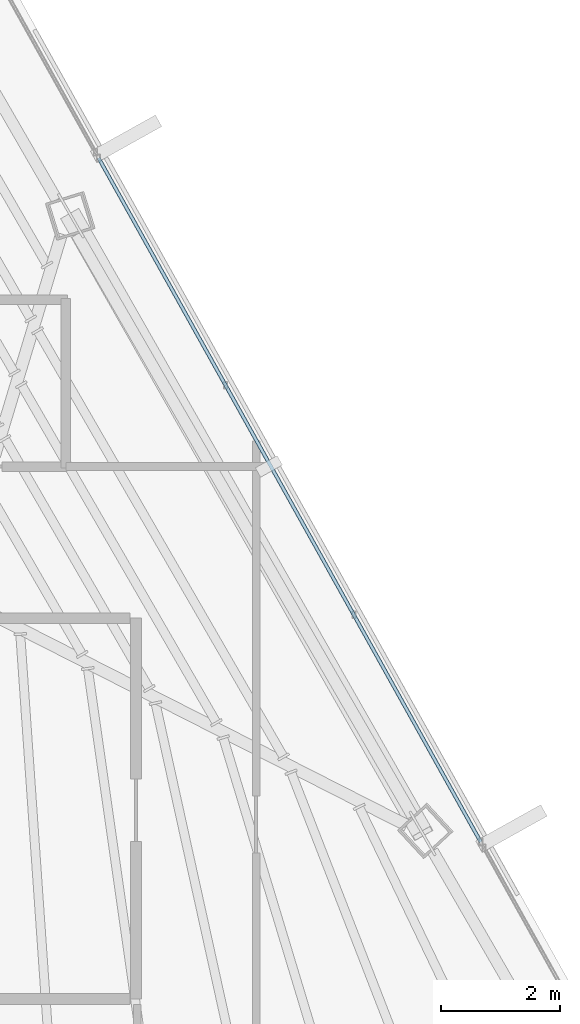
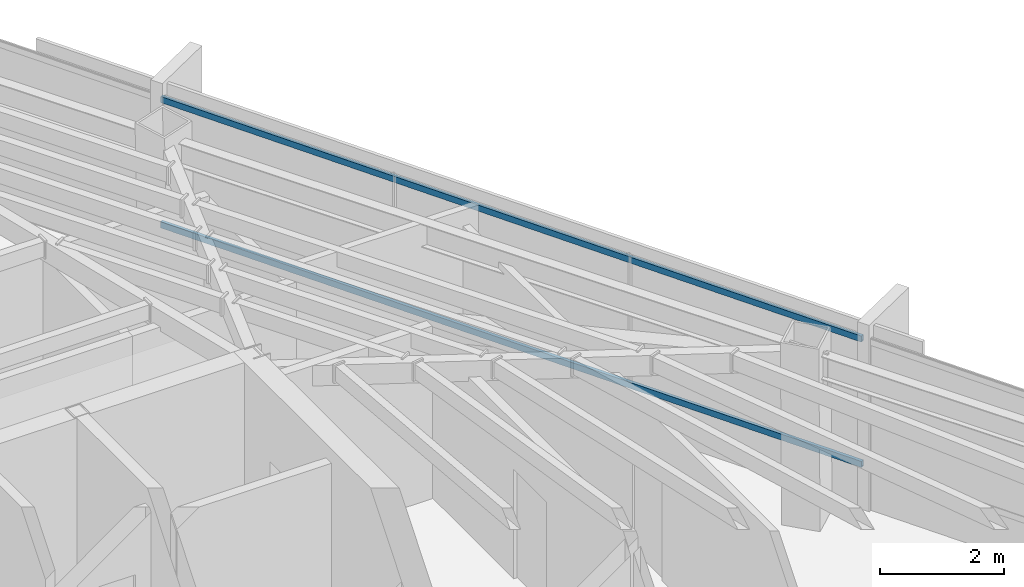
# One storey, part 28 of 48: 2 members, 1 element without a shape of its own.
"""IFC4 building model written with IfcOpenShell, lengths in metres."""

from ifc_helpers import new_model, si_unit, direction, frame, origin, origin_2d, place, context, subcontext, project, spatial, hollow_rectangle, extrude, source, transform, mapped, material, material_profile, profile_set, type_object, type_shapes, element, aggregate, save


model = new_model("IFC4")

# Units and contexts
model_context = context("Model", 3, precision=1e-05, world=origin(), true_north=direction((0.0, 1.0)))
body_context = subcontext(model_context, "Body", "Model", "MODEL_VIEW")
ifc_project = project(units=[si_unit("LENGTHUNIT", "METRE"), si_unit("AREAUNIT", "SQUARE_METRE"), si_unit("VOLUMEUNIT", "CUBIC_METRE"), si_unit("PLANEANGLEUNIT", "RADIAN"), si_unit("MASSUNIT", "GRAM", prefix="KILO")], contexts=[model_context])

# Site, building, storey
site_placement = place(None, origin())
site = spatial("IfcSite", under=ifc_project, at=site_placement, CompositionType="ELEMENT")
building_placement = place(site_placement, origin())
building = spatial("IfcBuilding", under=site, at=building_placement, Name="Caelisora Broadcast Tower", CompositionType="ELEMENT")
storey_placement = place(building_placement, frame((0.0, 0.0, 270.0)))
storey = spatial("IfcBuildingStorey", under=building, at=storey_placement, Name="L71", CompositionType="ELEMENT", Elevation=270.0)

# Curtain wall, members
ifc_material_1 = material(Name="Unitised Aluminium Insulated Shadow-Box Spandrel Curtain Wall", Category="aluminium")
curtain_wall_type = type_object("IfcCurtainWallType", Name="CW-SP3", PredefinedType="NOTDEFINED", material=ifc_material_1)
curtain_wall_placement = place(storey_placement, origin())
curtain_wall = element("IfcCurtainWall", 1, at=curtain_wall_placement, inside=storey, type_object=curtain_wall_type, Name="L71 curtain wall CW-SP3", PredefinedType="NOTDEFINED")
ifc_material_2 = material(Name="Aluminium 6063-T6 Anodised Terracotta Bronze", Category="aluminium")
ifc_material_profile = material_profile(ifc_material_2, hollow_rectangle(XDim=0.06005859375, YDim=0.1201171875, WallThickness=0.0029296875, at=origin_2d()), Name="Aluminium 6063-T6 Anodised Terracotta Bronze")
ifc_profile_set = profile_set([ifc_material_profile], Name="Aluminium 6063-T6 Anodised Terracotta Bronze")
member_type = type_object("IfcMemberType", Name="CWT-03", PredefinedType="USERDEFINED", material=ifc_profile_set)
shared_shape = source(origin(), body_context, "Body", "SweptSolid", [
    extrude(hollow_rectangle(XDim=0.06005859375, YDim=0.1201171875, WallThickness=0.0029296875, at=origin_2d()), origin(), (0.0, 0.0, 1.0), 13.170166015625),
])
type_shapes(member_type, [shared_shape])
member_1_placement = place(storey_placement, frame((47.9521484375, 37.3359375, 0.85009765625), z_axis=(0.48774116884, -0.872988288707, 0.0), x_axis=(0.872988288707, 0.48774116884, 0.0)))
member_1 = element("IfcMember", 2, at=member_1_placement, type_object=member_type, Name="L71-CW-B02 transom #1", ObjectType="TRANSOM", PredefinedType="USERDEFINED", context=body_context, shape_type="MappedRepresentation", body=[
    mapped(shared_shape, transform((0.0, 0.0, 0.0), scale=1.0)),
])
member_2_placement = place(storey_placement, frame((47.9521484375, 37.3359375, 3.320068359375), z_axis=(0.48774116884, -0.872988288707, 0.0), x_axis=(0.872988288707, 0.48774116884, 0.0)))
member_2 = element("IfcMember", 3, at=member_2_placement, type_object=member_type, Name="L71-CW-B02 transom #2", ObjectType="TRANSOM", PredefinedType="USERDEFINED", context=body_context, shape_type="MappedRepresentation", body=[
    mapped(shared_shape, transform((0.0, 0.0, 0.0), scale=1.0)),
])
aggregate(curtain_wall, [member_1, member_2])

save(model, "model.ifc")
